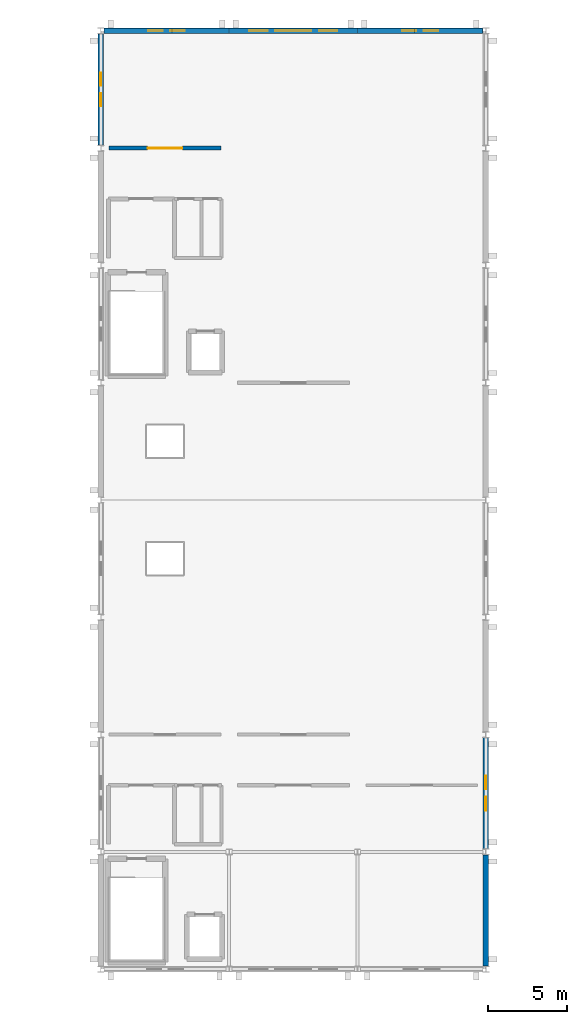
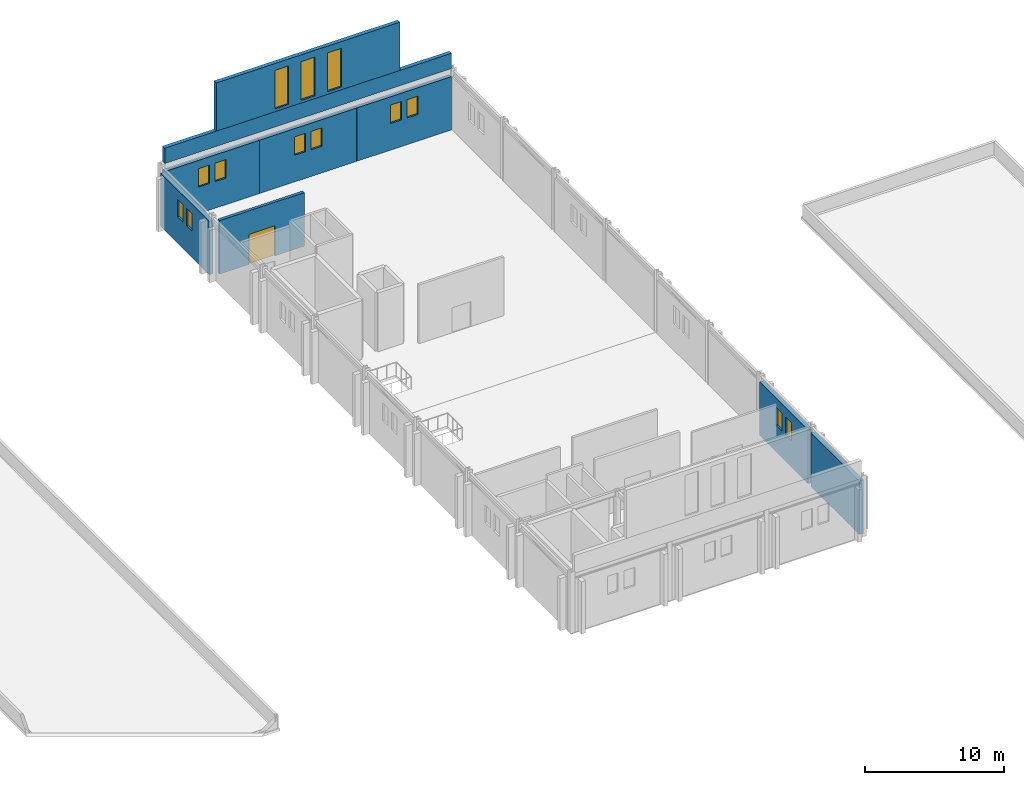
# One storey, part 8 of 10: 13 windows, 9 walls, 1 door, 14 openings.
"""IFC4 building model written with IfcOpenShell, lengths in metres."""

from ifc_helpers import new_model, si_unit, direction, frame, frame_2d, origin, place, context, subcontext, project, spatial, rectangle, extrude, material, layer, layer_set, type_object, element, fill, save


model = new_model("IFC4")

# Units and contexts
model_context = context("Model", 3, precision=1e-05, world=origin(), true_north=direction((0.0, 1.0)))
body_context = subcontext(model_context, "Body", "Model", "MODEL_VIEW")
ifc_project = project(units=[si_unit("LENGTHUNIT", "METRE"), si_unit("AREAUNIT", "SQUARE_METRE"), si_unit("VOLUMEUNIT", "CUBIC_METRE"), si_unit("PLANEANGLEUNIT", "RADIAN"), si_unit("MASSUNIT", "GRAM", prefix="KILO")], contexts=[model_context])

# Site, building, storey
site_placement = place(None, origin())
site = spatial("IfcSite", under=ifc_project, at=site_placement, CompositionType="ELEMENT")
building_placement = place(site_placement, origin())
building = spatial("IfcBuilding", under=site, at=building_placement, Name="Cimatlan Art Gallery", CompositionType="ELEMENT")
storey_placement = place(building_placement, frame((0.0, 0.0, 21.0)))
storey = spatial("IfcBuildingStorey", under=building, at=storey_placement, Name="L05", CompositionType="ELEMENT", Elevation=21.0)

# Wall, opening, door
ifc_material_1 = material(Name="Precast concrete C40/50", Category="concrete")
ifc_layer_1 = layer(ifc_material_1, 0.2451171875)
ifc_layer_set_1 = layer_set([ifc_layer_1], Name="Precast concrete C40/50")
wall_type_1 = type_object("IfcWallType", Name="W-FFL-245", PredefinedType="PARTITIONING", material=ifc_layer_set_1)
wall_1_placement = place(storey_placement, frame((75.419921875, 75.699951171875, 0.0), z_axis=(0.0, 0.0, 1.0), x_axis=(1.0, 0.0, 0.0)))
wall_1 = element("IfcWall", 1, at=wall_1_placement, inside=storey, type_object=wall_type_1, Name="WL-RM-L05-ARC-CRW", PredefinedType="PARTITIONING", context=body_context, shape_type="SweptSolid", body=[
    extrude(rectangle(XDim=7.06005859375, YDim=0.2451171875, at=frame_2d((3.530029296875, 0.0))), origin(), (0.0, 0.0, 1.0), 4.722900390625),
])
opening_1_placement = place(wall_1_placement, frame((2.429931640625, 0.0, 0.0)))
opening_1 = element("IfcOpeningElement", 2, at=opening_1_placement, cuts=wall_1, Name="Opening DI-0279", PredefinedType="OPENING", context=body_context, shape_type="SweptSolid", body=[
    extrude(rectangle(XDim=2.199951171875, YDim=2.64990234375, at=frame_2d((1.10009765625, 1.324951171875))), frame((0.0, 0.132568359375, 0.0), z_axis=(0.0, -1.0, 0.0), x_axis=(1.0, 0.0, 0.0)), (0.0, 0.0, 1.0), 0.26513671875),
])
ifc_material_2 = material(Name="Fire-resisting large-format art-store door")
door_type = type_object("IfcDoorType", Name="FD-VL-2200", OperationType="NOTDEFINED", PredefinedType="DOOR", material=ifc_material_2)
door_placement = place(opening_1_placement, origin())
door = element("IfcDoor", 3, at=door_placement, inside=storey, type_object=door_type, Name="DR-RM-L05-ARC-CRW", OperationType="SINGLE_SWING_LEFT", OverallHeight=2.64990234375, OverallWidth=2.199951171875, PredefinedType="DOOR", context=body_context, shape_type="SweptSolid", body=[
    extrude(rectangle(XDim=2.199951171875, YDim=2.64990234375, at=frame_2d((1.10009765625, 1.324951171875))), frame((0.0, 0.02490234375, 0.0), z_axis=(0.0, -1.0, 0.0), x_axis=(1.0, 0.0, 0.0)), (0.0, 0.0, 1.0), 0.050048828125),
])
fill(opening_1, door)

# Wall
ifc_layer_2 = layer(ifc_material_1, 0.320068359375)
ifc_layer_set_2 = layer_set([ifc_layer_2], Name="Precast concrete C40/50")
wall_type_2 = type_object("IfcWallType", Name="WL-EXT-GAB-320", PredefinedType="SOLIDWALL", material=ifc_layer_set_2)
wall_2_placement = place(storey_placement, frame((75.096923828125, 83.10009765625, 5.39990234375), z_axis=(0.0, 0.0, 1.0), x_axis=(1.0, 0.0, 0.0)))
element("IfcWall", 4, at=wall_2_placement, inside=storey, type_object=wall_type_2, Name="WL-GABLE-V1-N", PredefinedType="SOLIDWALL", context=body_context, shape_type="SweptSolid", body=[
    extrude(rectangle(XDim=23.906005859375, YDim=0.320068359375, at=frame_2d((11.953125, 0.0))), origin(), (0.0, 0.0, 1.0), 1.35009765625),
])

# Wall, openings, windows
wall_3_placement = place(storey_placement, frame((79.39990234375, 83.10009765625, 6.75), z_axis=(0.0, 0.0, 1.0), x_axis=(1.0, 0.0, 0.0)))
wall_3 = element("IfcWall", 5, at=wall_3_placement, inside=storey, type_object=wall_type_2, Name="WL-GABLE-HI-N", PredefinedType="SOLIDWALL", context=body_context, shape_type="SweptSolid", body=[
    extrude(rectangle(XDim=15.300048828125, YDim=0.320068359375, at=frame_2d((7.64990234375, 0.0))), origin(), (0.0, 0.0, 1.0), 4.25),
])
opening_2_placement = place(wall_3_placement, frame((4.875, 0.0, 0.25)))
opening_2 = element("IfcOpeningElement", 6, at=opening_2_placement, cuts=wall_3, Name="Opening WN-0004", PredefinedType="OPENING", context=body_context, shape_type="SweptSolid", body=[
    extrude(rectangle(XDim=1.14990234375, YDim=3.39990234375, at=frame_2d((0.574951171875, 1.699951171875))), frame((0.0, 0.169921875, 0.0), z_axis=(0.0, -1.0, 0.0), x_axis=(1.0, 0.0, 0.0)), (0.0, 0.0, 1.0), 0.340087890625),
])
opening_3_placement = place(wall_3_placement, frame((7.074951171875, 0.0, 0.25)))
opening_3 = element("IfcOpeningElement", 7, at=opening_3_placement, cuts=wall_3, Name="Opening WN-0005", PredefinedType="OPENING", context=body_context, shape_type="SweptSolid", body=[
    extrude(rectangle(XDim=1.14990234375, YDim=3.39990234375, at=frame_2d((0.574951171875, 1.699951171875))), frame((0.0, 0.169921875, 0.0), z_axis=(0.0, -1.0, 0.0), x_axis=(1.0, 0.0, 0.0)), (0.0, 0.0, 1.0), 0.340087890625),
])
opening_4_placement = place(wall_3_placement, frame((9.27490234375, 0.0, 0.25)))
opening_4 = element("IfcOpeningElement", 8, at=opening_4_placement, cuts=wall_3, Name="Opening WN-0006", PredefinedType="OPENING", context=body_context, shape_type="SweptSolid", body=[
    extrude(rectangle(XDim=1.14990234375, YDim=3.39990234375, at=frame_2d((0.574951171875, 1.699951171875))), frame((0.0, 0.169921875, 0.0), z_axis=(0.0, -1.0, 0.0), x_axis=(1.0, 0.0, 0.0)), (0.0, 0.0, 1.0), 0.340087890625),
])
ifc_material_3 = material(Name="Low-E laminated double glazing in bronze lancet frame", Category="glass")
window_type_1 = type_object("IfcWindowType", Name="WIN-GAB-N-1150X3400", PartitioningType="SINGLE_PANEL", PredefinedType="WINDOW", material=ifc_material_3)
window_1_placement = place(opening_2_placement, origin())
window_1 = element("IfcWindow", 9, at=window_1_placement, inside=storey, type_object=window_type_1, Name="WIN-0004", OverallHeight=3.39990234375, OverallWidth=1.14990234375, PartitioningType="SINGLE_PANEL", PredefinedType="WINDOW", context=body_context, shape_type="SweptSolid", body=[
    extrude(rectangle(XDim=1.14990234375, YDim=3.39990234375, at=frame_2d((0.574951171875, 1.699951171875))), frame((0.0, 0.030029296875, 0.0), z_axis=(0.0, -1.0, 0.0), x_axis=(1.0, 0.0, 0.0)), (0.0, 0.0, 1.0), 0.06005859375),
])
fill(opening_2, window_1)
window_2_placement = place(opening_3_placement, origin())
window_2 = element("IfcWindow", 10, at=window_2_placement, inside=storey, type_object=window_type_1, Name="WIN-0005", OverallHeight=3.39990234375, OverallWidth=1.14990234375, PartitioningType="SINGLE_PANEL", PredefinedType="WINDOW", context=body_context, shape_type="SweptSolid", body=[
    extrude(rectangle(XDim=1.14990234375, YDim=3.39990234375, at=frame_2d((0.574951171875, 1.699951171875))), frame((0.0, 0.030029296875, 0.0), z_axis=(0.0, -1.0, 0.0), x_axis=(1.0, 0.0, 0.0)), (0.0, 0.0, 1.0), 0.06005859375),
])
fill(opening_3, window_2)
window_3_placement = place(opening_4_placement, origin())
window_3 = element("IfcWindow", 11, at=window_3_placement, inside=storey, type_object=window_type_1, Name="WIN-0006", OverallHeight=3.39990234375, OverallWidth=1.14990234375, PartitioningType="SINGLE_PANEL", PredefinedType="WINDOW", context=body_context, shape_type="SweptSolid", body=[
    extrude(rectangle(XDim=1.14990234375, YDim=3.39990234375, at=frame_2d((0.574951171875, 1.699951171875))), frame((0.0, 0.030029296875, 0.0), z_axis=(0.0, -1.0, 0.0), x_axis=(1.0, 0.0, 0.0)), (0.0, 0.0, 1.0), 0.06005859375),
])
fill(opening_4, window_3)

ifc_layer_3 = layer(ifc_material_1, 0.340087890625)
ifc_layer_set_3 = layer_set([ifc_layer_3], Name="Precast concrete C40/50")
wall_type_3 = type_object("IfcWallType", Name="WL-EXT-STD-340", PredefinedType="SOLIDWALL", material=ifc_layer_set_3)
wall_4_placement = place(storey_placement, frame((75.10107421875, 83.10009765625, 0.0), z_axis=(0.0, 0.0, 1.0), x_axis=(1.0, 0.0, 0.0)))
wall_4 = element("IfcWall", 12, at=wall_4_placement, inside=storey, type_object=wall_type_3, Name="WL-EXT-L05-09-10-N", PredefinedType="SOLIDWALL", context=body_context, shape_type="SweptSolid", body=[
    extrude(rectangle(XDim=7.89501953125, YDim=0.340087890625, at=frame_2d((3.947509765625, 0.0))), origin(), (0.0, 0.0, 1.0), 4.700927734375),
])
opening_5_placement = place(wall_4_placement, frame((2.8076171875, 0.0, 2.35009765625)))
opening_5 = element("IfcOpeningElement", 13, at=opening_5_placement, cuts=wall_4, Name="Opening WN-0403", PredefinedType="OPENING", context=body_context, shape_type="SweptSolid", body=[
    extrude(rectangle(XDim=0.89990234375, YDim=1.6201171875, at=frame_2d((0.449951171875, 0.81005859375))), frame((0.0, 0.18017578125, 0.0), z_axis=(0.0, -1.0, 0.0), x_axis=(1.0, 0.0, 0.0)), (0.0, 0.0, 1.0), 0.360107421875),
])
opening_6_placement = place(wall_4_placement, frame((4.1875, 0.0, 2.35009765625)))
opening_6 = element("IfcOpeningElement", 14, at=opening_6_placement, cuts=wall_4, Name="Opening WN-0404", PredefinedType="OPENING", context=body_context, shape_type="SweptSolid", body=[
    extrude(rectangle(XDim=0.89990234375, YDim=1.6201171875, at=frame_2d((0.449951171875, 0.81005859375))), frame((0.0, 0.18017578125, 0.0), z_axis=(0.0, -1.0, 0.0), x_axis=(1.0, 0.0, 0.0)), (0.0, 0.0, 1.0), 0.360107421875),
])
window_type_2 = type_object("IfcWindowType", Name="WIN-CLR-N-0900X1620", PartitioningType="SINGLE_PANEL", PredefinedType="WINDOW", material=ifc_material_3)
window_4_placement = place(opening_5_placement, origin())
window_4 = element("IfcWindow", 15, at=window_4_placement, inside=storey, type_object=window_type_2, Name="WIN-0403", OverallHeight=1.6201171875, OverallWidth=0.89990234375, PartitioningType="SINGLE_PANEL", PredefinedType="WINDOW", context=body_context, shape_type="SweptSolid", body=[
    extrude(rectangle(XDim=0.89990234375, YDim=1.6201171875, at=frame_2d((0.449951171875, 0.81005859375))), frame((0.0, 0.030029296875, 0.0), z_axis=(0.0, -1.0, 0.0), x_axis=(1.0, 0.0, 0.0)), (0.0, 0.0, 1.0), 0.06005859375),
])
fill(opening_5, window_4)
window_5_placement = place(opening_6_placement, origin())
window_5 = element("IfcWindow", 16, at=window_5_placement, inside=storey, type_object=window_type_2, Name="WIN-0404", OverallHeight=1.6201171875, OverallWidth=0.89990234375, PartitioningType="SINGLE_PANEL", PredefinedType="WINDOW", context=body_context, shape_type="SweptSolid", body=[
    extrude(rectangle(XDim=0.89990234375, YDim=1.6201171875, at=frame_2d((0.449951171875, 0.81005859375))), frame((0.0, 0.030029296875, 0.0), z_axis=(0.0, -1.0, 0.0), x_axis=(1.0, 0.0, 0.0)), (0.0, 0.0, 1.0), 0.06005859375),
])
fill(opening_6, window_5)

wall_5_placement = place(storey_placement, frame((74.89990234375, 75.89208984375, 0.0), z_axis=(0.0, 0.0, 1.0), x_axis=(0.0, 1.0, 0.0)))
wall_5 = element("IfcWall", 17, at=wall_5_placement, inside=storey, type_object=wall_type_3, Name="WL-EXT-L05-09-10-W", PredefinedType="SOLIDWALL", context=body_context, shape_type="SweptSolid", body=[
    extrude(rectangle(XDim=7.015869140625, YDim=0.340087890625, at=frame_2d((3.5078125, 0.0))), origin(), (0.0, 0.0, 1.0), 4.700927734375),
])
opening_7_placement = place(wall_5_placement, frame((2.447998046875, 0.0, 2.35009765625)))
opening_7 = element("IfcOpeningElement", 18, at=opening_7_placement, cuts=wall_5, Name="Opening WN-0405", PredefinedType="OPENING", context=body_context, shape_type="SweptSolid", body=[
    extrude(rectangle(XDim=0.820068359375, YDim=1.5400390625, at=frame_2d((0.41015625, 0.77001953125))), frame((0.0, 0.18017578125, 0.0), z_axis=(0.0, -1.0, 0.0), x_axis=(1.0, 0.0, 0.0)), (0.0, 0.0, 1.0), 0.360107421875),
])
opening_8_placement = place(wall_5_placement, frame((3.748046875, 0.0, 2.35009765625)))
opening_8 = element("IfcOpeningElement", 19, at=opening_8_placement, cuts=wall_5, Name="Opening WN-0406", PredefinedType="OPENING", context=body_context, shape_type="SweptSolid", body=[
    extrude(rectangle(XDim=0.820068359375, YDim=1.5400390625, at=frame_2d((0.41015625, 0.77001953125))), frame((0.0, 0.18017578125, 0.0), z_axis=(0.0, -1.0, 0.0), x_axis=(1.0, 0.0, 0.0)), (0.0, 0.0, 1.0), 0.360107421875),
])
window_type_3 = type_object("IfcWindowType", Name="WIN-CLR-W-0820X1540", PartitioningType="SINGLE_PANEL", PredefinedType="WINDOW", material=ifc_material_3)
window_6_placement = place(opening_7_placement, origin())
window_6 = element("IfcWindow", 20, at=window_6_placement, inside=storey, type_object=window_type_3, Name="WIN-0405", OverallHeight=1.5400390625, OverallWidth=0.820068359375, PartitioningType="SINGLE_PANEL", PredefinedType="WINDOW", context=body_context, shape_type="SweptSolid", body=[
    extrude(rectangle(XDim=0.820068359375, YDim=1.5400390625, at=frame_2d((0.41015625, 0.77001953125))), frame((0.0, 0.030029296875, 0.0), z_axis=(0.0, -1.0, 0.0), x_axis=(1.0, 0.0, 0.0)), (0.0, 0.0, 1.0), 0.06005859375),
])
fill(opening_7, window_6)
window_7_placement = place(opening_8_placement, origin())
window_7 = element("IfcWindow", 21, at=window_7_placement, inside=storey, type_object=window_type_3, Name="WIN-0406", OverallHeight=1.5400390625, OverallWidth=0.820068359375, PartitioningType="SINGLE_PANEL", PredefinedType="WINDOW", context=body_context, shape_type="SweptSolid", body=[
    extrude(rectangle(XDim=0.820068359375, YDim=1.5400390625, at=frame_2d((0.41015625, 0.77001953125))), frame((0.0, 0.030029296875, 0.0), z_axis=(0.0, -1.0, 0.0), x_axis=(1.0, 0.0, 0.0)), (0.0, 0.0, 1.0), 0.06005859375),
])
fill(opening_8, window_7)

wall_6_placement = place(storey_placement, frame((83.00390625, 83.10009765625, 0.0), z_axis=(0.0, 0.0, 1.0), x_axis=(1.0, 0.0, 0.0)))
wall_6 = element("IfcWall", 22, at=wall_6_placement, inside=storey, type_object=wall_type_3, Name="WL-EXT-L05-10-10-N", PredefinedType="SOLIDWALL", context=body_context, shape_type="SweptSolid", body=[
    extrude(rectangle(XDim=8.092041015625, YDim=0.340087890625, at=frame_2d((4.0458984375, 0.0))), origin(), (0.0, 0.0, 1.0), 4.700927734375),
])
opening_9_placement = place(wall_6_placement, frame((2.906005859375, 0.0, 2.35009765625)))
opening_9 = element("IfcOpeningElement", 23, at=opening_9_placement, cuts=wall_6, Name="Opening WN-0409", PredefinedType="OPENING", context=body_context, shape_type="SweptSolid", body=[
    extrude(rectangle(XDim=0.89990234375, YDim=1.6201171875, at=frame_2d((0.449951171875, 0.81005859375))), frame((0.0, 0.18017578125, 0.0), z_axis=(0.0, -1.0, 0.0), x_axis=(1.0, 0.0, 0.0)), (0.0, 0.0, 1.0), 0.360107421875),
])
opening_10_placement = place(wall_6_placement, frame((4.285888671875, 0.0, 2.35009765625)))
opening_10 = element("IfcOpeningElement", 24, at=opening_10_placement, cuts=wall_6, Name="Opening WN-0410", PredefinedType="OPENING", context=body_context, shape_type="SweptSolid", body=[
    extrude(rectangle(XDim=0.89990234375, YDim=1.6201171875, at=frame_2d((0.449951171875, 0.81005859375))), frame((0.0, 0.18017578125, 0.0), z_axis=(0.0, -1.0, 0.0), x_axis=(1.0, 0.0, 0.0)), (0.0, 0.0, 1.0), 0.360107421875),
])
window_8_placement = place(opening_9_placement, origin())
window_8 = element("IfcWindow", 25, at=window_8_placement, inside=storey, type_object=window_type_2, Name="WIN-0409", OverallHeight=1.6201171875, OverallWidth=0.89990234375, PartitioningType="SINGLE_PANEL", PredefinedType="WINDOW", context=body_context, shape_type="SweptSolid", body=[
    extrude(rectangle(XDim=0.89990234375, YDim=1.6201171875, at=frame_2d((0.449951171875, 0.81005859375))), frame((0.0, 0.030029296875, 0.0), z_axis=(0.0, -1.0, 0.0), x_axis=(1.0, 0.0, 0.0)), (0.0, 0.0, 1.0), 0.06005859375),
])
fill(opening_9, window_8)
window_9_placement = place(opening_10_placement, origin())
window_9 = element("IfcWindow", 26, at=window_9_placement, inside=storey, type_object=window_type_2, Name="WIN-0410", OverallHeight=1.6201171875, OverallWidth=0.89990234375, PartitioningType="SINGLE_PANEL", PredefinedType="WINDOW", context=body_context, shape_type="SweptSolid", body=[
    extrude(rectangle(XDim=0.89990234375, YDim=1.6201171875, at=frame_2d((0.449951171875, 0.81005859375))), frame((0.0, 0.030029296875, 0.0), z_axis=(0.0, -1.0, 0.0), x_axis=(1.0, 0.0, 0.0)), (0.0, 0.0, 1.0), 0.06005859375),
])
fill(opening_10, window_9)

# Wall
wall_7_placement = place(storey_placement, frame((99.199951171875, 31.10791015625, 0.0), z_axis=(0.0, 0.0, 1.0), x_axis=(0.0, -1.0, 0.0)))
element("IfcWall", 27, at=wall_7_placement, inside=storey, type_object=wall_type_3, Name="WL-EXT-L05-11-03-E", PredefinedType="SOLIDWALL", context=body_context, shape_type="SweptSolid", body=[
    extrude(rectangle(XDim=7.015869140625, YDim=0.340087890625, at=frame_2d((3.5078125, 0.0))), origin(), (0.0, 0.0, 1.0), 4.718017578125),
])

# Wall, openings, windows
wall_8_placement = place(storey_placement, frame((99.199951171875, 38.508056640625, 0.0), z_axis=(0.0, 0.0, 1.0), x_axis=(0.0, -1.0, 0.0)))
wall_8 = element("IfcWall", 28, at=wall_8_placement, inside=storey, type_object=wall_type_3, Name="WL-EXT-L05-11-04-E", PredefinedType="SOLIDWALL", context=body_context, shape_type="SweptSolid", body=[
    extrude(rectangle(XDim=7.01611328125, YDim=0.340087890625, at=frame_2d((3.508056640625, 0.0))), origin(), (0.0, 0.0, 1.0), 4.718017578125),
])
opening_11_placement = place(wall_8_placement, frame((2.407958984375, 0.0, 2.35009765625)))
opening_11 = element("IfcOpeningElement", 29, at=opening_11_placement, cuts=wall_8, Name="Opening WN-0413", PredefinedType="OPENING", context=body_context, shape_type="SweptSolid", body=[
    extrude(rectangle(XDim=0.860107421875, YDim=1.580078125, at=frame_2d((0.43017578125, 0.7900390625))), frame((0.0, 0.18017578125, 0.0), z_axis=(0.0, -1.0, 0.0), x_axis=(1.0, 0.0, 0.0)), (0.0, 0.0, 1.0), 0.360107421875),
])
opening_12_placement = place(wall_8_placement, frame((3.748046875, 0.0, 2.35009765625)))
opening_12 = element("IfcOpeningElement", 30, at=opening_12_placement, cuts=wall_8, Name="Opening WN-0414", PredefinedType="OPENING", context=body_context, shape_type="SweptSolid", body=[
    extrude(rectangle(XDim=0.860107421875, YDim=1.580078125, at=frame_2d((0.43017578125, 0.7900390625))), frame((0.0, 0.18017578125, 0.0), z_axis=(0.0, -1.0, 0.0), x_axis=(1.0, 0.0, 0.0)), (0.0, 0.0, 1.0), 0.360107421875),
])
window_type_4 = type_object("IfcWindowType", Name="WIN-CLR-E-0860X1580", PartitioningType="SINGLE_PANEL", PredefinedType="WINDOW", material=ifc_material_3)
window_10_placement = place(opening_11_placement, origin())
window_10 = element("IfcWindow", 31, at=window_10_placement, inside=storey, type_object=window_type_4, Name="WIN-0413", OverallHeight=1.580078125, OverallWidth=0.860107421875, PartitioningType="SINGLE_PANEL", PredefinedType="WINDOW", context=body_context, shape_type="SweptSolid", body=[
    extrude(rectangle(XDim=0.860107421875, YDim=1.580078125, at=frame_2d((0.43017578125, 0.7900390625))), frame((0.0, 0.030029296875, 0.0), z_axis=(0.0, -1.0, 0.0), x_axis=(1.0, 0.0, 0.0)), (0.0, 0.0, 1.0), 0.06005859375),
])
fill(opening_11, window_10)
window_11_placement = place(opening_12_placement, origin())
window_11 = element("IfcWindow", 32, at=window_11_placement, inside=storey, type_object=window_type_4, Name="WIN-0414", OverallHeight=1.580078125, OverallWidth=0.860107421875, PartitioningType="SINGLE_PANEL", PredefinedType="WINDOW", context=body_context, shape_type="SweptSolid", body=[
    extrude(rectangle(XDim=0.860107421875, YDim=1.580078125, at=frame_2d((0.43017578125, 0.7900390625))), frame((0.0, 0.030029296875, 0.0), z_axis=(0.0, -1.0, 0.0), x_axis=(1.0, 0.0, 0.0)), (0.0, 0.0, 1.0), 0.06005859375),
])
fill(opening_12, window_11)

wall_9_placement = place(storey_placement, frame((91.10400390625, 83.10009765625, 0.0), z_axis=(0.0, 0.0, 1.0), x_axis=(1.0, 0.0, 0.0)))
wall_9 = element("IfcWall", 33, at=wall_9_placement, inside=storey, type_object=wall_type_3, Name="WL-EXT-L05-11-10-N", PredefinedType="SOLIDWALL", context=body_context, shape_type="SweptSolid", body=[
    extrude(rectangle(XDim=7.89501953125, YDim=0.340087890625, at=frame_2d((3.947509765625, 0.0))), origin(), (0.0, 0.0, 1.0), 4.700927734375),
])
opening_13_placement = place(wall_9_placement, frame((2.8076171875, 0.0, 2.35009765625)))
opening_13 = element("IfcOpeningElement", 34, at=opening_13_placement, cuts=wall_9, Name="Opening WN-0419", PredefinedType="OPENING", context=body_context, shape_type="SweptSolid", body=[
    extrude(rectangle(XDim=0.89990234375, YDim=1.6201171875, at=frame_2d((0.449951171875, 0.81005859375))), frame((0.0, 0.18017578125, 0.0), z_axis=(0.0, -1.0, 0.0), x_axis=(1.0, 0.0, 0.0)), (0.0, 0.0, 1.0), 0.360107421875),
])
opening_14_placement = place(wall_9_placement, frame((4.1875, 0.0, 2.35009765625)))
opening_14 = element("IfcOpeningElement", 35, at=opening_14_placement, cuts=wall_9, Name="Opening WN-0420", PredefinedType="OPENING", context=body_context, shape_type="SweptSolid", body=[
    extrude(rectangle(XDim=0.89990234375, YDim=1.6201171875, at=frame_2d((0.449951171875, 0.81005859375))), frame((0.0, 0.18017578125, 0.0), z_axis=(0.0, -1.0, 0.0), x_axis=(1.0, 0.0, 0.0)), (0.0, 0.0, 1.0), 0.360107421875),
])
window_12_placement = place(opening_13_placement, origin())
window_12 = element("IfcWindow", 36, at=window_12_placement, inside=storey, type_object=window_type_2, Name="WIN-0419", OverallHeight=1.6201171875, OverallWidth=0.89990234375, PartitioningType="SINGLE_PANEL", PredefinedType="WINDOW", context=body_context, shape_type="SweptSolid", body=[
    extrude(rectangle(XDim=0.89990234375, YDim=1.6201171875, at=frame_2d((0.449951171875, 0.81005859375))), frame((0.0, 0.030029296875, 0.0), z_axis=(0.0, -1.0, 0.0), x_axis=(1.0, 0.0, 0.0)), (0.0, 0.0, 1.0), 0.06005859375),
])
fill(opening_13, window_12)
window_13_placement = place(opening_14_placement, origin())
window_13 = element("IfcWindow", 37, at=window_13_placement, inside=storey, type_object=window_type_2, Name="WIN-0420", OverallHeight=1.6201171875, OverallWidth=0.89990234375, PartitioningType="SINGLE_PANEL", PredefinedType="WINDOW", context=body_context, shape_type="SweptSolid", body=[
    extrude(rectangle(XDim=0.89990234375, YDim=1.6201171875, at=frame_2d((0.449951171875, 0.81005859375))), frame((0.0, 0.030029296875, 0.0), z_axis=(0.0, -1.0, 0.0), x_axis=(1.0, 0.0, 0.0)), (0.0, 0.0, 1.0), 0.06005859375),
])
fill(opening_14, window_13)

save(model, "model.ifc")
